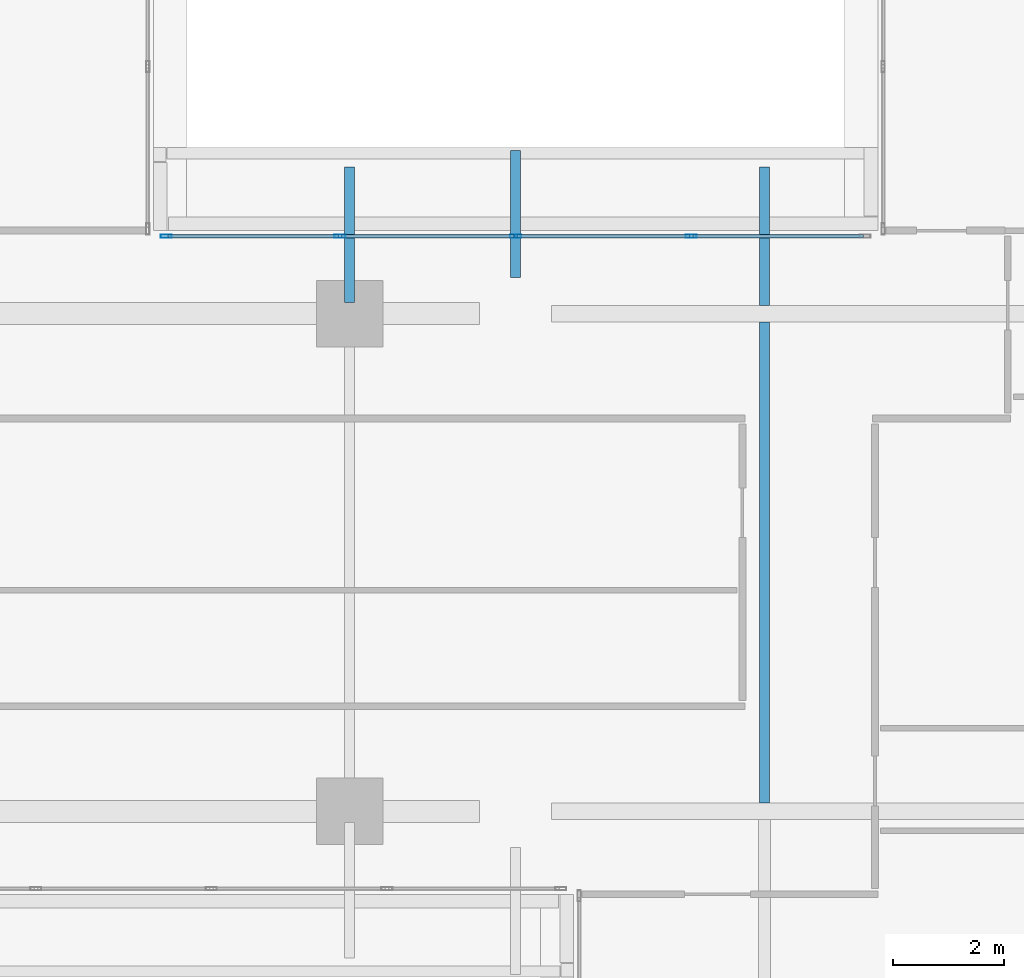
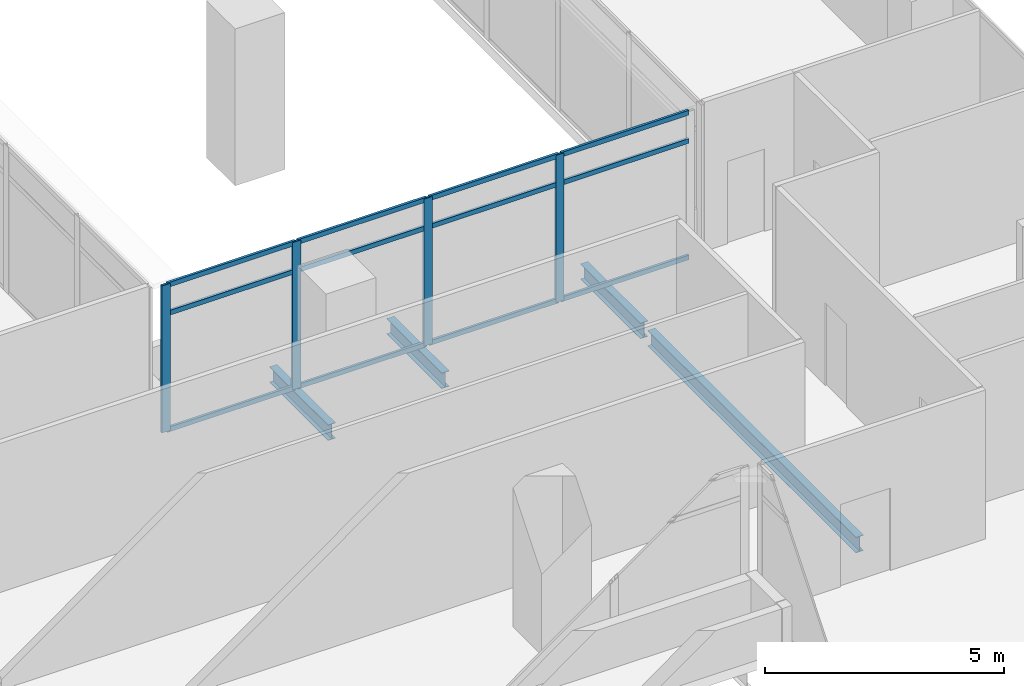
# One storey, part 13 of 43: 16 members, 4 beams, 1 element without a shape of its own.
"""IFC4 building model written with IfcOpenShell, lengths in metres."""

from ifc_helpers import new_model, si_unit, direction, frame, origin, origin_2d, place, context, subcontext, project, spatial, hollow_rectangle, i_section, extrude, source, transform, mapped, material, material_profile, profile_set, type_object, element, aggregate, save


model = new_model("IFC4")

# Units and contexts
model_context = context("Model", 3, precision=1e-05, world=origin(), true_north=direction((0.0, 1.0)))
body_context = subcontext(model_context, "Body", "Model", "MODEL_VIEW")
ifc_project = project(units=[si_unit("LENGTHUNIT", "METRE"), si_unit("AREAUNIT", "SQUARE_METRE"), si_unit("VOLUMEUNIT", "CUBIC_METRE"), si_unit("PLANEANGLEUNIT", "RADIAN"), si_unit("MASSUNIT", "GRAM", prefix="KILO")], contexts=[model_context])

# Site, building, storey
site_placement = place(None, origin())
site = spatial("IfcSite", under=ifc_project, at=site_placement, CompositionType="ELEMENT")
building_placement = place(site_placement, origin())
building = spatial("IfcBuilding", under=site, at=building_placement, Name="Khomas Fold Tower", CompositionType="ELEMENT")
storey_placement = place(building_placement, frame((0.0, 0.0, 164.699951171875)))
storey = spatial("IfcBuildingStorey", under=building, at=storey_placement, Name="L35", CompositionType="ELEMENT", Elevation=164.699951171875)

# Beams
ifc_material_1 = material(Name="Steel S355", Category="steel")
ifc_material_profile_1 = material_profile(ifc_material_1, i_section(OverallWidth=0.179931640625, OverallDepth=0.39990234375, WebThickness=0.008544921875, FlangeThickness=0.013427734375, at=origin_2d()), Name="IPE 400")
ifc_profile_set_1 = profile_set([ifc_material_profile_1], Name="Steel S355")
beam_type_1 = type_object("IfcBeamType", Name="IPE 400 beam JB3", PredefinedType="BEAM", material=ifc_profile_set_1)
shared_shape_1 = source(origin(), body_context, "Body", "SweptSolid", [
    extrude(i_section(OverallWidth=0.179931640625, OverallDepth=0.39990234375, WebThickness=0.008544921875, FlangeThickness=0.013427734375, at=origin_2d()), origin(), (0.0, 0.0, 1.0), 8.7001953125),
])
beam_1_placement = place(storey_placement, frame((42.0, 22.64990234375, -0.449951171875), z_axis=(0.0, 1.0, 0.0), x_axis=(-1.0, 0.0, 0.0)))
element("IfcBeam", 1, at=beam_1_placement, inside=storey, type_object=beam_type_1, Name="JB3", PredefinedType="BEAM", context=body_context, shape_type="MappedRepresentation", body=[
    mapped(shared_shape_1, transform((0.0, 0.0, 0.0))),
])
ifc_material_2 = material(Name="Steel S355", Category="steel")
ifc_material_profile_2 = material_profile(ifc_material_2, i_section(OverallWidth=0.179931640625, OverallDepth=0.39990234375, WebThickness=0.008544921875, FlangeThickness=0.013427734375, at=origin_2d()), Name="IPE 400")
ifc_profile_set_2 = profile_set([ifc_material_profile_2], Name="Steel S355")
beam_type_2 = type_object("IfcBeamType", Name="IPE 400 beam LB1", PredefinedType="BEAM", material=ifc_profile_set_2)
shared_shape_2 = source(origin(), body_context, "Body", "SweptSolid", [
    extrude(i_section(OverallWidth=0.179931640625, OverallDepth=0.39990234375, WebThickness=0.008544921875, FlangeThickness=0.013427734375, at=origin_2d()), origin(), (0.0, 0.0, 1.0), 2.449951171875),
])
beam_2_placement = place(storey_placement, frame((34.5, 31.699951171875, -0.449951171875), z_axis=(0.0, 1.0, 0.0), x_axis=(-1.0, 0.0, 0.0)))
element("IfcBeam", 2, at=beam_2_placement, inside=storey, type_object=beam_type_2, Name="LB1", PredefinedType="BEAM", context=body_context, shape_type="MappedRepresentation", body=[
    mapped(shared_shape_2, transform((0.0, 0.0, 0.0))),
])
shared_shape_3 = source(origin(), body_context, "Body", "SweptSolid", [
    extrude(i_section(OverallWidth=0.179931640625, OverallDepth=0.39990234375, WebThickness=0.008544921875, FlangeThickness=0.013427734375, at=origin_2d()), origin(), (0.0, 0.0, 1.0), 2.300048828125),
])
beam_3_placement = place(storey_placement, frame((37.5, 32.14990234375, -0.449951171875), z_axis=(0.0, 1.0, 0.0), x_axis=(-1.0, 0.0, 0.0)))
element("IfcBeam", 3, at=beam_3_placement, inside=storey, type_object=beam_type_2, Name="LB1", PredefinedType="BEAM", context=body_context, shape_type="MappedRepresentation", body=[
    mapped(shared_shape_3, transform((0.0, 0.0, 0.0))),
])
shared_shape_4 = source(origin(), body_context, "Body", "SweptSolid", [
    extrude(i_section(OverallWidth=0.179931640625, OverallDepth=0.39990234375, WebThickness=0.008544921875, FlangeThickness=0.013427734375, at=origin_2d()), origin(), (0.0, 0.0, 1.0), 2.5),
])
beam_4_placement = place(storey_placement, frame((42.0, 31.64990234375, -0.449951171875), z_axis=(0.0, 1.0, 0.0), x_axis=(-1.0, 0.0, 0.0)))
element("IfcBeam", 4, at=beam_4_placement, inside=storey, type_object=beam_type_2, Name="LB1", PredefinedType="BEAM", context=body_context, shape_type="MappedRepresentation", body=[
    mapped(shared_shape_4, transform((0.0, 0.0, 0.0))),
])

# Curtain wall, members
ifc_material_3 = material(Name="Aluminium framed double glazing", Category="aluminium")
curtain_wall_type = type_object("IfcCurtainWallType", Name="Notch glazing GN-CW", PredefinedType="NOTDEFINED", material=ifc_material_3)
curtain_wall_placement = place(storey_placement, origin())
curtain_wall = element("IfcCurtainWall", 5, at=curtain_wall_placement, inside=storey, type_object=curtain_wall_type, Name="Notch glazing run", PredefinedType="NOTDEFINED")
ifc_material_4 = material(Name="Aluminium", Category="aluminium")
ifc_material_profile_3 = material_profile(ifc_material_4, hollow_rectangle(XDim=0.06005859375, YDim=0.199951171875, WallThickness=0.00390625, at=origin_2d()), Name="Notch glazing mullion GN-CW-M")
ifc_profile_set_3 = profile_set([ifc_material_profile_3], Name="Aluminium")
member_type_1 = type_object("IfcMemberType", Name="Notch glazing mullion GN-CW-M", PredefinedType="MULLION", material=ifc_profile_set_3)
shared_shape_5 = source(origin(), body_context, "Body", "SweptSolid", [
    extrude(hollow_rectangle(XDim=0.06005859375, YDim=0.199951171875, WallThickness=0.00390625, at=origin_2d()), origin(), (0.0, 0.0, 1.0), 3.75),
])
member_1_placement = place(storey_placement, frame((40.675048828125, 32.89990234375, 0.0), z_axis=(0.0, 0.0, 1.0), x_axis=(0.0, -1.0, 0.0)))
member_1 = element("IfcMember", 6, at=member_1_placement, type_object=member_type_1, Name="GN-CW mullion 2", PredefinedType="MULLION", context=body_context, shape_type="MappedRepresentation", body=[
    mapped(shared_shape_5, transform((0.0, 0.0, 0.0))),
])
member_2_placement = place(storey_placement, frame((37.5, 32.89990234375, 0.0), z_axis=(0.0, 0.0, 1.0), x_axis=(0.0, -1.0, 0.0)))
member_2 = element("IfcMember", 7, at=member_2_placement, type_object=member_type_1, Name="GN-CW mullion 3", PredefinedType="MULLION", context=body_context, shape_type="MappedRepresentation", body=[
    mapped(shared_shape_5, transform((0.0, 0.0, 0.0))),
])
member_3_placement = place(storey_placement, frame((34.324951171875, 32.89990234375, 0.0), z_axis=(0.0, 0.0, 1.0), x_axis=(0.0, -1.0, 0.0)))
member_3 = element("IfcMember", 8, at=member_3_placement, type_object=member_type_1, Name="GN-CW mullion 4", PredefinedType="MULLION", context=body_context, shape_type="MappedRepresentation", body=[
    mapped(shared_shape_5, transform((0.0, 0.0, 0.0))),
])
member_4_placement = place(storey_placement, frame((31.179931640625, 32.89990234375, 0.0), z_axis=(0.0, 0.0, 1.0), x_axis=(0.0, -1.0, 0.0)))
member_4 = element("IfcMember", 9, at=member_4_placement, type_object=member_type_1, Name="GN-CW mullion 5", PredefinedType="MULLION", context=body_context, shape_type="MappedRepresentation", body=[
    mapped(shared_shape_5, transform((0.0, 0.0, 0.0))),
])
ifc_material_5 = material(Name="Aluminium", Category="aluminium")
ifc_material_profile_4 = material_profile(ifc_material_5, hollow_rectangle(XDim=0.06005859375, YDim=0.1201171875, WallThickness=0.00390625, at=origin_2d()), Name="Notch glazing transom GN-CW-T")
ifc_profile_set_4 = profile_set([ifc_material_profile_4], Name="Aluminium")
member_type_2 = type_object("IfcMemberType", Name="Notch glazing transom GN-CW-T", PredefinedType="USERDEFINED", material=ifc_profile_set_4)
shared_shape_6 = source(origin(), body_context, "Body", "SweptSolid", [
    extrude(hollow_rectangle(XDim=0.06005859375, YDim=0.1201171875, WallThickness=0.00390625, at=origin_2d()), origin(), (0.0, 0.0, 1.0), 3.0849609375),
])
member_5_placement = place(storey_placement, frame((43.7900390625, 32.89990234375, 0.030029296875), z_axis=(-1.0, 0.0, 0.0), x_axis=(0.0, -1.0, 0.0)))
member_5 = element("IfcMember", 10, at=member_5_placement, type_object=member_type_2, Name="GN-CW transom 1.1", ObjectType="TRANSOM", PredefinedType="USERDEFINED", context=body_context, shape_type="MappedRepresentation", body=[
    mapped(shared_shape_6, transform((0.0, 0.0, 0.0))),
])
member_6_placement = place(storey_placement, frame((43.7900390625, 32.89990234375, 3.0), z_axis=(-1.0, 0.0, 0.0), x_axis=(0.0, -1.0, 0.0)))
member_6 = element("IfcMember", 11, at=member_6_placement, type_object=member_type_2, Name="GN-CW transom 1.2", ObjectType="TRANSOM", PredefinedType="USERDEFINED", context=body_context, shape_type="MappedRepresentation", body=[
    mapped(shared_shape_6, transform((0.0, 0.0, 0.0))),
])
member_7_placement = place(storey_placement, frame((43.7900390625, 32.89990234375, 3.719970703125), z_axis=(-1.0, 0.0, 0.0), x_axis=(0.0, -1.0, 0.0)))
member_7 = element("IfcMember", 12, at=member_7_placement, type_object=member_type_2, Name="GN-CW transom 1.3", ObjectType="TRANSOM", PredefinedType="USERDEFINED", context=body_context, shape_type="MappedRepresentation", body=[
    mapped(shared_shape_6, transform((0.0, 0.0, 0.0))),
])
member_8_placement = place(storey_placement, frame((34.294921875, 32.89990234375, 0.030029296875), z_axis=(-1.0, 0.0, 0.0), x_axis=(0.0, -1.0, 0.0)))
member_8 = element("IfcMember", 13, at=member_8_placement, type_object=member_type_2, Name="GN-CW transom 4.1", ObjectType="TRANSOM", PredefinedType="USERDEFINED", context=body_context, shape_type="MappedRepresentation", body=[
    mapped(shared_shape_6, transform((0.0, 0.0, 0.0))),
])
member_9_placement = place(storey_placement, frame((34.294921875, 32.89990234375, 3.0), z_axis=(-1.0, 0.0, 0.0), x_axis=(0.0, -1.0, 0.0)))
member_9 = element("IfcMember", 14, at=member_9_placement, type_object=member_type_2, Name="GN-CW transom 4.2", ObjectType="TRANSOM", PredefinedType="USERDEFINED", context=body_context, shape_type="MappedRepresentation", body=[
    mapped(shared_shape_6, transform((0.0, 0.0, 0.0))),
])
member_10_placement = place(storey_placement, frame((34.294921875, 32.89990234375, 3.719970703125), z_axis=(-1.0, 0.0, 0.0), x_axis=(0.0, -1.0, 0.0)))
member_10 = element("IfcMember", 15, at=member_10_placement, type_object=member_type_2, Name="GN-CW transom 4.3", ObjectType="TRANSOM", PredefinedType="USERDEFINED", context=body_context, shape_type="MappedRepresentation", body=[
    mapped(shared_shape_6, transform((0.0, 0.0, 0.0))),
])
shared_shape_7 = source(origin(), body_context, "Body", "SweptSolid", [
    extrude(hollow_rectangle(XDim=0.06005859375, YDim=0.1201171875, WallThickness=0.00390625, at=origin_2d()), origin(), (0.0, 0.0, 1.0), 3.114990234375),
])
member_11_placement = place(storey_placement, frame((40.64501953125, 32.89990234375, 0.030029296875), z_axis=(-1.0, 0.0, 0.0), x_axis=(0.0, -1.0, 0.0)))
member_11 = element("IfcMember", 16, at=member_11_placement, type_object=member_type_2, Name="GN-CW transom 2.1", ObjectType="TRANSOM", PredefinedType="USERDEFINED", context=body_context, shape_type="MappedRepresentation", body=[
    mapped(shared_shape_7, transform((0.0, 0.0, 0.0))),
])
member_12_placement = place(storey_placement, frame((40.64501953125, 32.89990234375, 3.0), z_axis=(-1.0, 0.0, 0.0), x_axis=(0.0, -1.0, 0.0)))
member_12 = element("IfcMember", 17, at=member_12_placement, type_object=member_type_2, Name="GN-CW transom 2.2", ObjectType="TRANSOM", PredefinedType="USERDEFINED", context=body_context, shape_type="MappedRepresentation", body=[
    mapped(shared_shape_7, transform((0.0, 0.0, 0.0))),
])
member_13_placement = place(storey_placement, frame((40.64501953125, 32.89990234375, 3.719970703125), z_axis=(-1.0, 0.0, 0.0), x_axis=(0.0, -1.0, 0.0)))
member_13 = element("IfcMember", 18, at=member_13_placement, type_object=member_type_2, Name="GN-CW transom 2.3", ObjectType="TRANSOM", PredefinedType="USERDEFINED", context=body_context, shape_type="MappedRepresentation", body=[
    mapped(shared_shape_7, transform((0.0, 0.0, 0.0))),
])
member_14_placement = place(storey_placement, frame((37.469970703125, 32.89990234375, 0.030029296875), z_axis=(-1.0, 0.0, 0.0), x_axis=(0.0, -1.0, 0.0)))
member_14 = element("IfcMember", 19, at=member_14_placement, type_object=member_type_2, Name="GN-CW transom 3.1", ObjectType="TRANSOM", PredefinedType="USERDEFINED", context=body_context, shape_type="MappedRepresentation", body=[
    mapped(shared_shape_7, transform((0.0, 0.0, 0.0))),
])
member_15_placement = place(storey_placement, frame((37.469970703125, 32.89990234375, 3.0), z_axis=(-1.0, 0.0, 0.0), x_axis=(0.0, -1.0, 0.0)))
member_15 = element("IfcMember", 20, at=member_15_placement, type_object=member_type_2, Name="GN-CW transom 3.2", ObjectType="TRANSOM", PredefinedType="USERDEFINED", context=body_context, shape_type="MappedRepresentation", body=[
    mapped(shared_shape_7, transform((0.0, 0.0, 0.0))),
])
member_16_placement = place(storey_placement, frame((37.469970703125, 32.89990234375, 3.719970703125), z_axis=(-1.0, 0.0, 0.0), x_axis=(0.0, -1.0, 0.0)))
member_16 = element("IfcMember", 21, at=member_16_placement, type_object=member_type_2, Name="GN-CW transom 3.3", ObjectType="TRANSOM", PredefinedType="USERDEFINED", context=body_context, shape_type="MappedRepresentation", body=[
    mapped(shared_shape_7, transform((0.0, 0.0, 0.0))),
])
aggregate(curtain_wall, [member_1, member_2, member_3, member_4, member_5, member_6, member_7, member_11, member_12, member_13, member_14, member_15, member_16, member_8, member_9, member_10])

save(model, "model.ifc")
